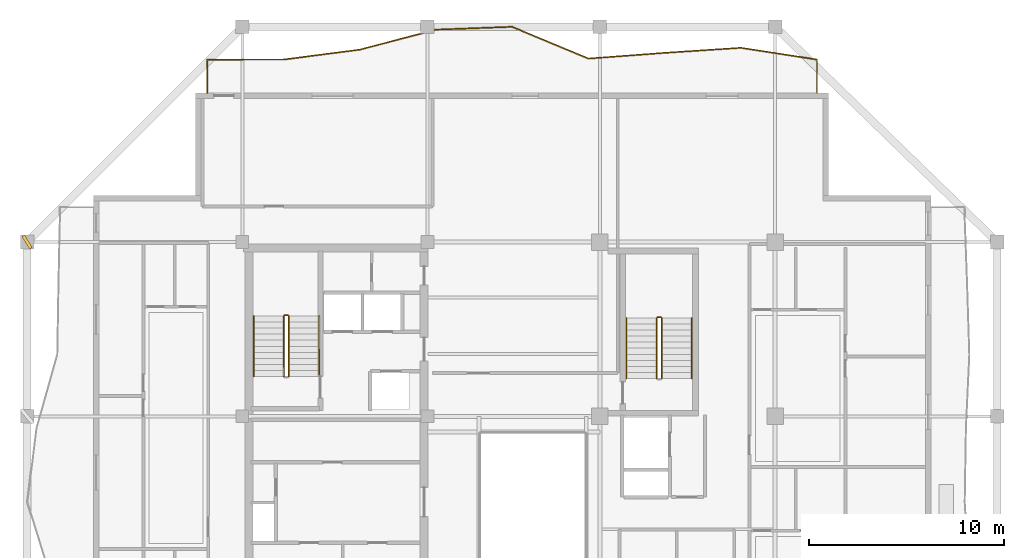
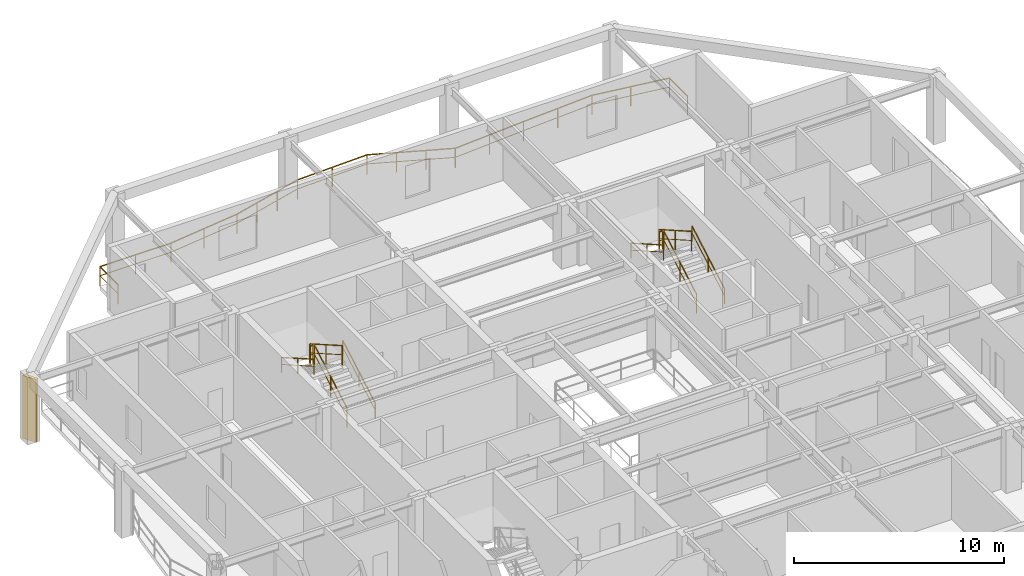
# One storey, part 11 of 12: 11 railings, 1 shading device.
"""IFC4 building model written with IfcOpenShell, lengths in metres."""

import ifcopenshell
import ifcopenshell.guid

model = None  # the IFC model being written
_history = None  # IfcOwnerHistory: only IFC2X3 demands one
_inside = {}  # id of a spatial element -> (the spatial element, [elements in it])
_under = {}  # id of a project, library or spatial element -> (it, [spatial elements below it])
_declared = {}  # id of a project -> (the project, [libraries it declares])
_typed = {}  # id of a type object -> (the type object, [elements of that type])
_made_of = {}  # id of a material, layer set ... -> (it, [elements and type objects made of it])


def new_model(schema):
    """Start an empty IFC model of exactly this schema.

    Asked for "IFC4X3", IfcOpenShell would pick the latest addendum, in which some entities
    have other attributes; the version numbers below select the first issue.
    IFC2X3 requires an IfcOwnerHistory on every rooted entity: one is made here for all.
    """
    global model, _history
    if schema == "IFC4X3":
        model = ifcopenshell.file(schema_version=(4, 3, 0, 0))
    else:
        model = ifcopenshell.file(schema=schema)
    _inside.clear()
    _under.clear()
    _declared.clear()
    _typed.clear()
    _made_of.clear()
    _history = None
    if model.schema == "IFC2X3":
        org = make("IfcOrganization", Name="unknown")
        user = make(
            "IfcPersonAndOrganization",
            ThePerson=make("IfcPerson", FamilyName="unknown"),
            TheOrganization=org,
        )
        app = make(
            "IfcApplication",
            ApplicationDeveloper=org,
            Version="unknown",
            ApplicationFullName="unknown",
            ApplicationIdentifier="unknown",
        )
        _history = make(
            "IfcOwnerHistory",
            OwningUser=user,
            OwningApplication=app,
            ChangeAction="ADDED",
            CreationDate=0,
        )
    return model


def make(cls, **values):
    """One entity of the class cls with the attributes given. An attribute that is None is left unset."""
    return model.create_entity(
        cls, **{name: value for name, value in values.items() if value is not None}
    )


def rooted(cls, **values):
    """An entity with a GlobalId (a new one), such as an element, a storey or a relation."""
    return make(cls, GlobalId=ifcopenshell.guid.new(), OwnerHistory=_history, **values)


def si_unit(unit_type, name, prefix=None):
    """IfcSIUnit, for example si_unit("LENGTHUNIT", "METRE", prefix="MILLI")."""
    return make("IfcSIUnit", UnitType=unit_type, Prefix=prefix, Name=name)


def assignment(units):
    """IfcUnitAssignment: the units of a project."""
    return None if units is None else make("IfcUnitAssignment", Units=units)


def point(xyz):
    """IfcCartesianPoint."""
    return None if xyz is None else make("IfcCartesianPoint", Coordinates=xyz)


def direction(xyz):
    """IfcDirection."""
    return None if xyz is None else make("IfcDirection", DirectionRatios=xyz)


def frame(location, z_axis=None, x_axis=None):
    """IfcAxis2Placement3D, a coordinate frame: its origin and axes. An axis left out is left unset."""
    return make(
        "IfcAxis2Placement3D",
        Location=point(location),
        Axis=direction(z_axis),
        RefDirection=direction(x_axis),
    )


def frame_2d(location, x_axis=None):
    """IfcAxis2Placement2D, a coordinate frame in the plane: its origin and x axis."""
    return make(
        "IfcAxis2Placement2D", Location=point(location), RefDirection=direction(x_axis)
    )


def origin():
    """The frame at (0, 0, 0) with its axes left unset."""
    return frame((0.0, 0.0, 0.0))


def origin_2d():
    """The frame at (0, 0) in the plane with its x axis left unset."""
    return frame_2d((0.0, 0.0))


def place(relative_to, where):
    """IfcLocalPlacement: puts the frame where relative to a parent placement (None: the world)."""
    return make(
        "IfcLocalPlacement", PlacementRelTo=relative_to, RelativePlacement=where
    )


def context(
    kind, dimensions, precision=None, world=None, true_north=None, identifier=None
):
    """IfcGeometricRepresentationContext, for example the 3D "Model" context."""
    return make(
        "IfcGeometricRepresentationContext",
        ContextIdentifier=identifier,
        ContextType=kind,
        CoordinateSpaceDimension=dimensions,
        Precision=precision,
        WorldCoordinateSystem=world,
        TrueNorth=true_north,
    )


def subcontext(parent, identifier, kind, view, scale=None):
    """IfcGeometricRepresentationSubContext, for example "Body" below "Model"."""
    return make(
        "IfcGeometricRepresentationSubContext",
        ContextIdentifier=identifier,
        ContextType=kind,
        ParentContext=parent,
        TargetScale=scale,
        TargetView=view,
    )


def project(units=None, contexts=None):
    """IfcProject with its units and contexts."""
    return rooted(
        "IfcProject",
        Name="project",
        RepresentationContexts=contexts,
        UnitsInContext=assignment(units),
    )


def spatial(cls, under=None, at=None, **own):
    """A site, building, storey or space (cls), placed at a placement, below another one or the project."""
    s = rooted(cls, ObjectPlacement=at, **own)
    if under is not None:
        _under.setdefault(under.id(), (under, []))[1].append(s)
    return s


def profile(cls, at=None, kind="AREA", **sizes):
    """A parametric profile (cls). Its sizes go by their IFC names, for example OverallWidth=200.0."""
    return make(cls, ProfileType=kind, Position=at, **sizes)


def rectangle(**sizes):
    """IfcRectangleProfileDef."""
    return profile("IfcRectangleProfileDef", **sizes)


def extrude(swept, where, along, depth):
    """IfcExtrudedAreaSolid: the profile swept, set in the frame where, extruded along a direction by depth."""
    return make(
        "IfcExtrudedAreaSolid",
        SweptArea=swept,
        Position=where,
        ExtrudedDirection=direction(along),
        Depth=depth,
    )


def shape(context_of_items, identifier, shape_type, items):
    """IfcShapeRepresentation: the items that make up one representation, for example the "Body"."""
    return make(
        "IfcShapeRepresentation",
        ContextOfItems=context_of_items,
        RepresentationIdentifier=identifier,
        RepresentationType=shape_type,
        Items=items,
    )


def material(Name=None, Category=None):
    """IfcMaterial."""
    return make("IfcMaterial", Name=Name, Category=Category)


def made_of(thing, what):
    """Note that an element or type object is made of a material, layer set ...; save() writes the relation."""
    if what is not None:
        _made_of.setdefault(what.id(), (what, []))[1].append(thing)
    return thing


def type_object(cls, material=None, **own):
    """A type object (cls), such as IfcWallType, which elements share."""
    return made_of(rooted(cls, **own), material)


def element(
    cls,
    number,
    at=None,
    inside=None,
    cuts=None,
    type_object=None,
    material=None,
    context=None,
    identifier="Body",
    shape_type=None,
    held_by="IfcProductDefinitionShape",
    body=None,
    shapes=None,
    **own,
):
    """One element of the class cls, such as IfcWall. Its Tag is "e" and its number.

    at: its placement. inside: the storey or other place that contains it. cuts: it is an
    opening in that element (IfcRelVoidsElement). A single representation is given by context,
    identifier, shape_type and body (its items); several are given by shapes. held_by: the class
    of the entity that holds the representations. save() writes the other relations.
    """
    e = rooted(cls, Tag="e%d" % number, ObjectPlacement=at, **own)
    if body is not None:
        shapes = [shape(context, identifier, shape_type, body)]
    if shapes is not None:
        e.Representation = make(held_by, Representations=shapes)
    if inside is not None:
        _inside.setdefault(inside.id(), (inside, []))[1].append(e)
    if cuts is not None:
        rooted(
            "IfcRelVoidsElement", RelatingBuildingElement=cuts, RelatedOpeningElement=e
        )
    if type_object is not None:
        _typed.setdefault(type_object.id(), (type_object, []))[1].append(e)
    return made_of(e, material)


def aggregate(whole, parts):
    """IfcRelAggregates: a whole, such as a stair, and the parts it consists of."""
    return rooted("IfcRelAggregates", RelatingObject=whole, RelatedObjects=parts)


def save(model, path):
    """Write the relations noted so far, then the file.

    IfcRelAggregates (storeys below a building ...), IfcRelContainedInSpatialStructure (elements
    in a storey), IfcRelDefinesByType, IfcRelAssociatesMaterial and IfcRelDeclares: one each for
    every whole, place, type object, material and project.
    """
    for whole, parts in _under.values():
        aggregate(whole, parts)
    for where, things in _inside.values():
        rooted(
            "IfcRelContainedInSpatialStructure",
            RelatedElements=things,
            RelatingStructure=where,
        )
    for kind, things in _typed.values():
        rooted("IfcRelDefinesByType", RelatedObjects=things, RelatingType=kind)
    for what, things in _made_of.values():
        rooted("IfcRelAssociatesMaterial", RelatedObjects=things, RelatingMaterial=what)
    for by, libraries in _declared.values():
        rooted("IfcRelDeclares", RelatingContext=by, RelatedDefinitions=libraries)
    model.write(path)


model = new_model("IFC4")

# Units and contexts
model_context = context("Model", 3, precision=1e-05, world=origin(), true_north=direction((0.0, 1.0)))
body_context = subcontext(model_context, "Body", "Model", "MODEL_VIEW")
ifc_project = project(units=[si_unit("LENGTHUNIT", "METRE"), si_unit("AREAUNIT", "SQUARE_METRE"), si_unit("VOLUMEUNIT", "CUBIC_METRE"), si_unit("PLANEANGLEUNIT", "RADIAN"), si_unit("MASSUNIT", "GRAM", prefix="KILO")], contexts=[model_context])

# Site, building, storey
site_placement = place(None, origin())
site = spatial("IfcSite", under=ifc_project, at=site_placement, CompositionType="ELEMENT")
building_placement = place(site_placement, origin())
building = spatial("IfcBuilding", under=site, at=building_placement, Name="Kundavana Baori Tower", CompositionType="ELEMENT")
storey_placement = place(building_placement, frame((0.0, 0.0, 237.5)))
storey = spatial("IfcBuildingStorey", under=building, at=storey_placement, Name="L58", CompositionType="ELEMENT", Elevation=237.5)

# Railings
ifc_material_1 = material(Name="Architectural Patinated Bronze Metalwork")
railing_type_1 = type_object("IfcRailingType", Name="RL-BAL-1150", PredefinedType="BALUSTRADE", material=ifc_material_1)
railing_1_placement = place(storey_placement, frame((13.64990234375, 49.60009765625, 0.0)))
element("IfcRailing", 1, at=railing_1_placement, inside=storey, type_object=railing_type_1, Name="L58 Loggia Balcony Balustrade N", PredefinedType="BALUSTRADE", context=body_context, shape_type="SweptSolid", body=[
    extrude(rectangle(XDim=0.048095703125, YDim=0.048095703125, at=origin_2d()), frame((0.0, 0.0, 1.1259765625), z_axis=(0.0, 1.0, 0.0), x_axis=(-1.0, 0.0, 0.0)), (0.0, 0.0, 1.0), 1.719970703125),
    extrude(rectangle(XDim=0.03125, YDim=0.03125, at=origin_2d()), frame((0.0, 0.0, 0.597900390625), z_axis=(0.0, 1.0, 0.0), x_axis=(-1.0, 0.0, 0.0)), (0.0, 0.0, 1.0), 1.719970703125),
    extrude(rectangle(XDim=0.048095703125, YDim=0.048095703125, at=origin_2d()), frame((0.0, 1.719970703125, 1.1259765625), z_axis=(0.999999968844, 0.000249625554, 0.0), x_axis=(-0.000249625554, 0.999999968844, 0.0)), (0.0, 0.0, 1.0), 3.912109375),
    extrude(rectangle(XDim=0.03125, YDim=0.03125, at=origin_2d()), frame((0.0, 1.719970703125, 0.597900390625), z_axis=(0.999999968844, 0.000249625554, 0.0), x_axis=(-0.000249625554, 0.999999968844, 0.0)), (0.0, 0.0, 1.0), 3.912109375),
    extrude(rectangle(XDim=0.048095703125, YDim=0.048095703125, at=origin_2d()), frame((3.912109375, 1.720947265625, 1.1259765625), z_axis=(0.991676485739, 0.128754602372, 0.0), x_axis=(-0.128754602372, 0.991676485739, 0.0)), (0.0, 0.0, 1.0), 3.946044921875),
    extrude(rectangle(XDim=0.03125, YDim=0.03125, at=origin_2d()), frame((3.912109375, 1.720947265625, 0.597900390625), z_axis=(0.991676485739, 0.128754602372, 0.0), x_axis=(-0.128754602372, 0.991676485739, 0.0)), (0.0, 0.0, 1.0), 3.946044921875),
    extrude(rectangle(XDim=0.048095703125, YDim=0.048095703125, at=origin_2d()), frame((7.8251953125, 2.22900390625, 1.1259765625), z_axis=(0.967365530775, 0.253384944044, 0.0), x_axis=(-0.253384944044, 0.967365530775, 0.0)), (0.0, 0.0, 1.0), 4.044921875),
    extrude(rectangle(XDim=0.03125, YDim=0.03125, at=origin_2d()), frame((7.8251953125, 2.22900390625, 0.597900390625), z_axis=(0.967365530775, 0.253384944044, 0.0), x_axis=(-0.253384944044, 0.967365530775, 0.0)), (0.0, 0.0, 1.0), 4.044921875),
    extrude(rectangle(XDim=0.048095703125, YDim=0.048095703125, at=origin_2d()), frame((11.738037109375, 3.25390625, 1.1259765625), z_axis=(0.99930437184, 0.037293061306, 0.0), x_axis=(-0.037293061306, 0.99930437184, 0.0)), (0.0, 0.0, 1.0), 3.914794921875),
    extrude(rectangle(XDim=0.03125, YDim=0.03125, at=origin_2d()), frame((11.738037109375, 3.25390625, 0.597900390625), z_axis=(0.99930437184, 0.037293061306, 0.0), x_axis=(-0.037293061306, 0.99930437184, 0.0)), (0.0, 0.0, 1.0), 3.914794921875),
    extrude(rectangle(XDim=0.048095703125, YDim=0.048095703125, at=origin_2d()), frame((15.650146484375, 3.39990234375, 1.1259765625), z_axis=(0.923116111891, -0.384521317962, 0.0), x_axis=(0.384521317962, 0.923116111891, 0.0)), (0.0, 0.0, 1.0), 4.23876953125),
    extrude(rectangle(XDim=0.03125, YDim=0.03125, at=origin_2d()), frame((15.650146484375, 3.39990234375, 0.597900390625), z_axis=(0.923116111891, -0.384521317962, 0.0), x_axis=(0.384521317962, 0.923116111891, 0.0)), (0.0, 0.0, 1.0), 4.23876953125),
    extrude(rectangle(XDim=0.048095703125, YDim=0.048095703125, at=origin_2d()), frame((19.56298828125, 1.77001953125, 1.1259765625), z_axis=(0.997151771502, 0.075421115019, 0.0), x_axis=(-0.075421115019, 0.997151771502, 0.0)), (0.0, 0.0, 1.0), 3.92333984375),
    extrude(rectangle(XDim=0.03125, YDim=0.03125, at=origin_2d()), frame((19.56298828125, 1.77001953125, 0.597900390625), z_axis=(0.997151771502, 0.075421115019, 0.0), x_axis=(-0.075421115019, 0.997151771502, 0.0)), (0.0, 0.0, 1.0), 3.92333984375),
    extrude(rectangle(XDim=0.048095703125, YDim=0.048095703125, at=origin_2d()), frame((23.47509765625, 2.06591796875, 1.1259765625), z_axis=(0.997848878269, 0.065556205941, 0.0), x_axis=(-0.065556205941, 0.997848878269, 0.0)), (0.0, 0.0, 1.0), 3.921630859375),
    extrude(rectangle(XDim=0.03125, YDim=0.03125, at=origin_2d()), frame((23.47509765625, 2.06591796875, 0.597900390625), z_axis=(0.997848878269, 0.065556205941, 0.0), x_axis=(-0.065556205941, 0.997848878269, 0.0)), (0.0, 0.0, 1.0), 3.921630859375),
    extrude(rectangle(XDim=0.048095703125, YDim=0.048095703125, at=origin_2d()), frame((27.38818359375, 2.322998046875, 1.1259765625), z_axis=(0.988326015801, -0.152353820073, 0.0), x_axis=(0.152353820073, 0.988326015801, 0.0)), (0.0, 0.0, 1.0), 3.9580078125),
    extrude(rectangle(XDim=0.03125, YDim=0.03125, at=origin_2d()), frame((27.38818359375, 2.322998046875, 0.597900390625), z_axis=(0.988326015801, -0.152353820073, 0.0), x_axis=(0.152353820073, 0.988326015801, 0.0)), (0.0, 0.0, 1.0), 3.9580078125),
    extrude(rectangle(XDim=0.048095703125, YDim=0.048095703125, at=origin_2d()), frame((31.300048828125, 1.719970703125, 1.1259765625), z_axis=(0.0, -1.0, 0.0), x_axis=(1.0, 0.0, 0.0)), (0.0, 0.0, 1.0), 1.719970703125),
    extrude(rectangle(XDim=0.03125, YDim=0.03125, at=origin_2d()), frame((31.300048828125, 1.719970703125, 0.597900390625), z_axis=(0.0, -1.0, 0.0), x_axis=(1.0, 0.0, 0.0)), (0.0, 0.0, 1.0), 1.719970703125),
    extrude(rectangle(XDim=0.0419921875, YDim=0.0419921875, at=origin_2d()), origin(), (0.0, 0.0, 1.0), 1.101806640625),
    extrude(rectangle(XDim=0.0419921875, YDim=0.0419921875, at=origin_2d()), frame((0.0, 1.719970703125, 0.0)), (0.0, 0.0, 1.0), 1.101806640625),
    extrude(rectangle(XDim=0.0419921875, YDim=0.0419921875, at=origin_2d()), frame((1.9560546875, 1.720458984375, 0.0)), (0.0, 0.0, 1.0), 1.101806640625),
    extrude(rectangle(XDim=0.0419921875, YDim=0.0419921875, at=origin_2d()), frame((3.912109375, 1.720947265625, 0.0)), (0.0, 0.0, 1.0), 1.101806640625),
    extrude(rectangle(XDim=0.0419921875, YDim=0.0419921875, at=origin_2d()), frame((5.86865234375, 1.97509765625, 0.0)), (0.0, 0.0, 1.0), 1.101806640625),
    extrude(rectangle(XDim=0.0419921875, YDim=0.0419921875, at=origin_2d()), frame((7.8251953125, 2.22900390625, 0.0)), (0.0, 0.0, 1.0), 1.101806640625),
    extrude(rectangle(XDim=0.0419921875, YDim=0.0419921875, at=origin_2d()), frame((9.12939453125, 2.570556640625, 0.0)), (0.0, 0.0, 1.0), 1.101806640625),
    extrude(rectangle(XDim=0.0419921875, YDim=0.0419921875, at=origin_2d()), frame((10.433837890625, 2.912353515625, 0.0)), (0.0, 0.0, 1.0), 1.101806640625),
    extrude(rectangle(XDim=0.0419921875, YDim=0.0419921875, at=origin_2d()), frame((11.738037109375, 3.25390625, 0.0)), (0.0, 0.0, 1.0), 1.101806640625),
    extrude(rectangle(XDim=0.0419921875, YDim=0.0419921875, at=origin_2d()), frame((13.694091796875, 3.326904296875, 0.0)), (0.0, 0.0, 1.0), 1.101806640625),
    extrude(rectangle(XDim=0.0419921875, YDim=0.0419921875, at=origin_2d()), frame((15.650146484375, 3.39990234375, 0.0)), (0.0, 0.0, 1.0), 1.101806640625),
    extrude(rectangle(XDim=0.0419921875, YDim=0.0419921875, at=origin_2d()), frame((16.954345703125, 2.856689453125, 0.0)), (0.0, 0.0, 1.0), 1.101806640625),
    extrude(rectangle(XDim=0.0419921875, YDim=0.0419921875, at=origin_2d()), frame((18.2587890625, 2.313232421875, 0.0)), (0.0, 0.0, 1.0), 1.101806640625),
    extrude(rectangle(XDim=0.0419921875, YDim=0.0419921875, at=origin_2d()), frame((19.56298828125, 1.77001953125, 0.0)), (0.0, 0.0, 1.0), 1.101806640625),
    extrude(rectangle(XDim=0.0419921875, YDim=0.0419921875, at=origin_2d()), frame((21.51904296875, 1.91796875, 0.0)), (0.0, 0.0, 1.0), 1.101806640625),
    extrude(rectangle(XDim=0.0419921875, YDim=0.0419921875, at=origin_2d()), frame((23.47509765625, 2.06591796875, 0.0)), (0.0, 0.0, 1.0), 1.101806640625),
    extrude(rectangle(XDim=0.0419921875, YDim=0.0419921875, at=origin_2d()), frame((25.431640625, 2.1943359375, 0.0)), (0.0, 0.0, 1.0), 1.101806640625),
    extrude(rectangle(XDim=0.0419921875, YDim=0.0419921875, at=origin_2d()), frame((27.38818359375, 2.322998046875, 0.0)), (0.0, 0.0, 1.0), 1.101806640625),
    extrude(rectangle(XDim=0.0419921875, YDim=0.0419921875, at=origin_2d()), frame((29.34423828125, 2.021484375, 0.0)), (0.0, 0.0, 1.0), 1.101806640625),
    extrude(rectangle(XDim=0.0419921875, YDim=0.0419921875, at=origin_2d()), frame((31.300048828125, 1.719970703125, 0.0)), (0.0, 0.0, 1.0), 1.101806640625),
    extrude(rectangle(XDim=0.0419921875, YDim=0.0419921875, at=origin_2d()), frame((31.300048828125, 0.0, 0.0)), (0.0, 0.0, 1.0), 1.101806640625),
])
ifc_material_2 = material(Name="Architectural Patinated Bronze Metalwork")
railing_type_2 = type_object("IfcRailingType", Name="RL-GRD-1150", PredefinedType="GUARDRAIL", material=ifc_material_2)
railing_2_placement = place(storey_placement, frame((17.840087890625, 35.050048828125, 0.17724609375)))
element("IfcRailing", 2, at=railing_2_placement, inside=storey, type_object=railing_type_2, Name="L58 ST2 stair guard 1", PredefinedType="GUARDRAIL", context=body_context, shape_type="SweptSolid", body=[
    extrude(rectangle(XDim=0.048095703125, YDim=0.048095703125, at=origin_2d()), frame((0.0, 0.0, 1.1259765625), z_axis=(0.0, 0.868079009454, 0.496426060301), x_axis=(-1.0, 0.0, 0.0)), (0.0, 0.0, 1.0), 3.571044921875),
    extrude(rectangle(XDim=0.03125, YDim=0.03125, at=origin_2d()), frame((0.0, 0.0, 0.597900390625), z_axis=(0.0, 0.868079009454, 0.496426060301), x_axis=(-1.0, 0.0, 0.0)), (0.0, 0.0, 1.0), 3.571044921875),
    extrude(rectangle(XDim=0.0419921875, YDim=0.0419921875, at=origin_2d()), origin(), (0.0, 0.0, 1.0), 1.101806640625),
    extrude(rectangle(XDim=0.0419921875, YDim=0.0419921875, at=origin_2d()), frame((0.0, 1.5498046875, 0.88623046875)), (0.0, 0.0, 1.0), 1.101806640625),
    extrude(rectangle(XDim=0.0419921875, YDim=0.0419921875, at=origin_2d()), frame((0.0, 3.099853515625, 1.772705078125)), (0.0, 0.0, 1.0), 1.101806640625),
])
railing_3_placement = place(storey_placement, frame((17.7900390625, 38.199951171875, 1.949951171875)))
element("IfcRailing", 3, at=railing_3_placement, inside=storey, type_object=railing_type_2, Name="L58 ST2 stair guard 2", PredefinedType="GUARDRAIL", context=body_context, shape_type="SweptSolid", body=[
    extrude(rectangle(XDim=0.048095703125, YDim=0.048095703125, at=origin_2d()), frame((0.0, 0.0, 1.1259765625), z_axis=(-1.0, 0.0, 0.0), x_axis=(0.0, -1.0, 0.0)), (0.0, 0.0, 1.0), 0.16015625),
    extrude(rectangle(XDim=0.03125, YDim=0.03125, at=origin_2d()), frame((0.0, 0.0, 0.597900390625), z_axis=(-1.0, 0.0, 0.0), x_axis=(0.0, -1.0, 0.0)), (0.0, 0.0, 1.0), 0.16015625),
    extrude(rectangle(XDim=0.0419921875, YDim=0.0419921875, at=origin_2d()), origin(), (0.0, 0.0, 1.0), 1.101806640625),
    extrude(rectangle(XDim=0.0419921875, YDim=0.0419921875, at=origin_2d()), frame((-0.16015625, 0.0, 0.0)), (0.0, 0.0, 1.0), 1.101806640625),
])
railing_4_placement = place(storey_placement, frame((17.580078125, 38.14990234375, 2.127197265625)))
element("IfcRailing", 4, at=railing_4_placement, inside=storey, type_object=railing_type_2, Name="L58 ST2 stair guard 3", PredefinedType="GUARDRAIL", context=body_context, shape_type="SweptSolid", body=[
    extrude(rectangle(XDim=0.048095703125, YDim=0.048095703125, at=origin_2d()), frame((0.0, 0.0, 1.1259765625), z_axis=(0.0, -0.868079009454, 0.496426060301), x_axis=(1.0, 0.0, 0.0)), (0.0, 0.0, 1.0), 3.571044921875),
    extrude(rectangle(XDim=0.03125, YDim=0.03125, at=origin_2d()), frame((0.0, 0.0, 0.597900390625), z_axis=(0.0, -0.868079009454, 0.496426060301), x_axis=(1.0, 0.0, 0.0)), (0.0, 0.0, 1.0), 3.571044921875),
    extrude(rectangle(XDim=0.0419921875, YDim=0.0419921875, at=origin_2d()), origin(), (0.0, 0.0, 1.0), 1.101806640625),
    extrude(rectangle(XDim=0.0419921875, YDim=0.0419921875, at=origin_2d()), frame((0.0, -1.5498046875, 0.88623046875)), (0.0, 0.0, 1.0), 1.101806640625),
    extrude(rectangle(XDim=0.0419921875, YDim=0.0419921875, at=origin_2d()), frame((0.0, -3.099853515625, 1.772705078125)), (0.0, 0.0, 1.0), 1.101806640625),
])
railing_5_placement = place(storey_placement, frame((36.97998046875, 34.949951171875, 0.17724609375)))
element("IfcRailing", 5, at=railing_5_placement, inside=storey, type_object=railing_type_2, Name="L58 ST3 stair guard 1", PredefinedType="GUARDRAIL", context=body_context, shape_type="SweptSolid", body=[
    extrude(rectangle(XDim=0.048095703125, YDim=0.048095703125, at=origin_2d()), frame((0.0, 0.0, 1.1259765625), z_axis=(0.0, 0.868095856688, 0.496396599103), x_axis=(-1.0, 0.0, 0.0)), (0.0, 0.0, 1.0), 3.571044921875),
    extrude(rectangle(XDim=0.03125, YDim=0.03125, at=origin_2d()), frame((0.0, 0.0, 0.597900390625), z_axis=(0.0, 0.868095856688, 0.496396599103), x_axis=(-1.0, 0.0, 0.0)), (0.0, 0.0, 1.0), 3.571044921875),
    extrude(rectangle(XDim=0.0419921875, YDim=0.0419921875, at=origin_2d()), origin(), (0.0, 0.0, 1.0), 1.101806640625),
    extrude(rectangle(XDim=0.0419921875, YDim=0.0419921875, at=origin_2d()), frame((0.0, 1.550048828125, 0.88623046875)), (0.0, 0.0, 1.0), 1.101806640625),
    extrude(rectangle(XDim=0.0419921875, YDim=0.0419921875, at=origin_2d()), frame((0.0, 3.10009765625, 1.772705078125)), (0.0, 0.0, 1.0), 1.101806640625),
])
railing_6_placement = place(storey_placement, frame((36.929931640625, 38.10009765625, 1.949951171875)))
element("IfcRailing", 6, at=railing_6_placement, inside=storey, type_object=railing_type_2, Name="L58 ST3 stair guard 2", PredefinedType="GUARDRAIL", context=body_context, shape_type="SweptSolid", body=[
    extrude(rectangle(XDim=0.048095703125, YDim=0.048095703125, at=origin_2d()), frame((0.0, 0.0, 1.1259765625), z_axis=(-1.0, 0.0, 0.0), x_axis=(0.0, -1.0, 0.0)), (0.0, 0.0, 1.0), 0.159912109375),
    extrude(rectangle(XDim=0.03125, YDim=0.03125, at=origin_2d()), frame((0.0, 0.0, 0.597900390625), z_axis=(-1.0, 0.0, 0.0), x_axis=(0.0, -1.0, 0.0)), (0.0, 0.0, 1.0), 0.159912109375),
    extrude(rectangle(XDim=0.0419921875, YDim=0.0419921875, at=origin_2d()), origin(), (0.0, 0.0, 1.0), 1.101806640625),
    extrude(rectangle(XDim=0.0419921875, YDim=0.0419921875, at=origin_2d()), frame((-0.159912109375, 0.0, 0.0)), (0.0, 0.0, 1.0), 1.101806640625),
])
railing_7_placement = place(storey_placement, frame((36.719970703125, 38.050048828125, 2.127197265625)))
element("IfcRailing", 7, at=railing_7_placement, inside=storey, type_object=railing_type_2, Name="L58 ST3 stair guard 3", PredefinedType="GUARDRAIL", context=body_context, shape_type="SweptSolid", body=[
    extrude(rectangle(XDim=0.048095703125, YDim=0.048095703125, at=origin_2d()), frame((0.0, 0.0, 1.1259765625), z_axis=(0.0, -0.868095856688, 0.496396599103), x_axis=(1.0, 0.0, 0.0)), (0.0, 0.0, 1.0), 3.571044921875),
    extrude(rectangle(XDim=0.03125, YDim=0.03125, at=origin_2d()), frame((0.0, 0.0, 0.597900390625), z_axis=(0.0, -0.868095856688, 0.496396599103), x_axis=(1.0, 0.0, 0.0)), (0.0, 0.0, 1.0), 3.571044921875),
    extrude(rectangle(XDim=0.0419921875, YDim=0.0419921875, at=origin_2d()), origin(), (0.0, 0.0, 1.0), 1.101806640625),
    extrude(rectangle(XDim=0.0419921875, YDim=0.0419921875, at=origin_2d()), frame((0.0, -1.550048828125, 0.88623046875)), (0.0, 0.0, 1.0), 1.101806640625),
    extrude(rectangle(XDim=0.0419921875, YDim=0.0419921875, at=origin_2d()), frame((0.0, -3.10009765625, 1.772705078125)), (0.0, 0.0, 1.0), 1.101806640625),
])
ifc_material_3 = material(Name="Architectural Patinated Bronze Metalwork")
railing_type_3 = type_object("IfcRailingType", Name="RL-HND-920", PredefinedType="HANDRAIL", material=ifc_material_3)
railing_8_placement = place(storey_placement, frame((19.389892578125, 35.050048828125, 0.17724609375)))
element("IfcRailing", 8, at=railing_8_placement, inside=storey, type_object=railing_type_3, Name="L58 ST2 stair handrail 1", PredefinedType="HANDRAIL", context=body_context, shape_type="SweptSolid", body=[
    extrude(rectangle(XDim=0.048095703125, YDim=0.048095703125, at=origin_2d()), frame((0.0, 0.0, 0.8759765625), z_axis=(0.0, 0.868079009454, 0.496426060301), x_axis=(-1.0, 0.0, 0.0)), (0.0, 0.0, 1.0), 3.571044921875),
    extrude(rectangle(XDim=0.03125, YDim=0.03125, at=origin_2d()), frame((0.0, 0.0, 0.468017578125), z_axis=(0.0, 0.868079009454, 0.496426060301), x_axis=(-1.0, 0.0, 0.0)), (0.0, 0.0, 1.0), 3.571044921875),
    extrude(rectangle(XDim=0.0419921875, YDim=0.0419921875, at=origin_2d()), origin(), (0.0, 0.0, 1.0), 0.851806640625),
    extrude(rectangle(XDim=0.0419921875, YDim=0.0419921875, at=origin_2d()), frame((0.0, 1.5498046875, 0.88623046875)), (0.0, 0.0, 1.0), 0.851806640625),
    extrude(rectangle(XDim=0.0419921875, YDim=0.0419921875, at=origin_2d()), frame((0.0, 3.099853515625, 1.772705078125)), (0.0, 0.0, 1.0), 0.851806640625),
])
railing_9_placement = place(storey_placement, frame((16.030029296875, 38.14990234375, 2.127197265625)))
element("IfcRailing", 9, at=railing_9_placement, inside=storey, type_object=railing_type_3, Name="L58 ST2 stair handrail 2", PredefinedType="HANDRAIL", context=body_context, shape_type="SweptSolid", body=[
    extrude(rectangle(XDim=0.048095703125, YDim=0.048095703125, at=origin_2d()), frame((0.0, 0.0, 0.8759765625), z_axis=(0.0, -0.868079009454, 0.496426060301), x_axis=(1.0, 0.0, 0.0)), (0.0, 0.0, 1.0), 3.571044921875),
    extrude(rectangle(XDim=0.03125, YDim=0.03125, at=origin_2d()), frame((0.0, 0.0, 0.468017578125), z_axis=(0.0, -0.868079009454, 0.496426060301), x_axis=(1.0, 0.0, 0.0)), (0.0, 0.0, 1.0), 3.571044921875),
    extrude(rectangle(XDim=0.0419921875, YDim=0.0419921875, at=origin_2d()), origin(), (0.0, 0.0, 1.0), 0.851806640625),
    extrude(rectangle(XDim=0.0419921875, YDim=0.0419921875, at=origin_2d()), frame((0.0, -1.5498046875, 0.88623046875)), (0.0, 0.0, 1.0), 0.851806640625),
    extrude(rectangle(XDim=0.0419921875, YDim=0.0419921875, at=origin_2d()), frame((0.0, -3.099853515625, 1.772705078125)), (0.0, 0.0, 1.0), 0.851806640625),
])
railing_10_placement = place(storey_placement, frame((38.530029296875, 34.949951171875, 0.17724609375)))
element("IfcRailing", 10, at=railing_10_placement, inside=storey, type_object=railing_type_3, Name="L58 ST3 stair handrail 1", PredefinedType="HANDRAIL", context=body_context, shape_type="SweptSolid", body=[
    extrude(rectangle(XDim=0.048095703125, YDim=0.048095703125, at=origin_2d()), frame((0.0, 0.0, 0.8759765625), z_axis=(0.0, 0.868095856688, 0.496396599103), x_axis=(-1.0, 0.0, 0.0)), (0.0, 0.0, 1.0), 3.571044921875),
    extrude(rectangle(XDim=0.03125, YDim=0.03125, at=origin_2d()), frame((0.0, 0.0, 0.468017578125), z_axis=(0.0, 0.868095856688, 0.496396599103), x_axis=(-1.0, 0.0, 0.0)), (0.0, 0.0, 1.0), 3.571044921875),
    extrude(rectangle(XDim=0.0419921875, YDim=0.0419921875, at=origin_2d()), origin(), (0.0, 0.0, 1.0), 0.851806640625),
    extrude(rectangle(XDim=0.0419921875, YDim=0.0419921875, at=origin_2d()), frame((0.0, 1.550048828125, 0.88623046875)), (0.0, 0.0, 1.0), 0.851806640625),
    extrude(rectangle(XDim=0.0419921875, YDim=0.0419921875, at=origin_2d()), frame((0.0, 3.10009765625, 1.772705078125)), (0.0, 0.0, 1.0), 0.851806640625),
])
railing_11_placement = place(storey_placement, frame((35.169921875, 38.050048828125, 2.127197265625)))
element("IfcRailing", 11, at=railing_11_placement, inside=storey, type_object=railing_type_3, Name="L58 ST3 stair handrail 2", PredefinedType="HANDRAIL", context=body_context, shape_type="SweptSolid", body=[
    extrude(rectangle(XDim=0.048095703125, YDim=0.048095703125, at=origin_2d()), frame((0.0, 0.0, 0.8759765625), z_axis=(0.0, -0.868095856688, 0.496396599103), x_axis=(1.0, 0.0, 0.0)), (0.0, 0.0, 1.0), 3.571044921875),
    extrude(rectangle(XDim=0.03125, YDim=0.03125, at=origin_2d()), frame((0.0, 0.0, 0.468017578125), z_axis=(0.0, -0.868095856688, 0.496396599103), x_axis=(1.0, 0.0, 0.0)), (0.0, 0.0, 1.0), 3.571044921875),
    extrude(rectangle(XDim=0.0419921875, YDim=0.0419921875, at=origin_2d()), origin(), (0.0, 0.0, 1.0), 0.851806640625),
    extrude(rectangle(XDim=0.0419921875, YDim=0.0419921875, at=origin_2d()), frame((0.0, -1.550048828125, 0.88623046875)), (0.0, 0.0, 1.0), 0.851806640625),
    extrude(rectangle(XDim=0.0419921875, YDim=0.0419921875, at=origin_2d()), frame((0.0, -3.10009765625, 1.772705078125)), (0.0, 0.0, 1.0), 0.851806640625),
])

# Shading device
ifc_material_4 = material(Name="Red-Buff Dholpur Sandstone Cladding on Concrete C40/50", Category="masonry")
shading_device_type = type_object("IfcShadingDeviceType", Name="SHD-FIN-750", PredefinedType="JALOUSIE", material=ifc_material_4)
shading_device_placement = place(storey_placement, frame((4.39990234375, 41.949951171875, 0.0), z_axis=(0.0, 0.0, 1.0), x_axis=(0.850444053699, 0.526065501177, 0.0)))
element("IfcShadingDevice", 12, at=shading_device_placement, inside=storey, type_object=shading_device_type, Name="L58 Sweeping Dholpur Sandstone Facade Fin 8", PredefinedType="JALOUSIE", context=body_context, shape_type="SweptSolid", body=[
    extrude(rectangle(XDim=0.159912109375, YDim=0.75, at=origin_2d()), origin(), (0.0, 0.0, 1.0), 3.659912109375),
])

save(model, "model.ifc")
